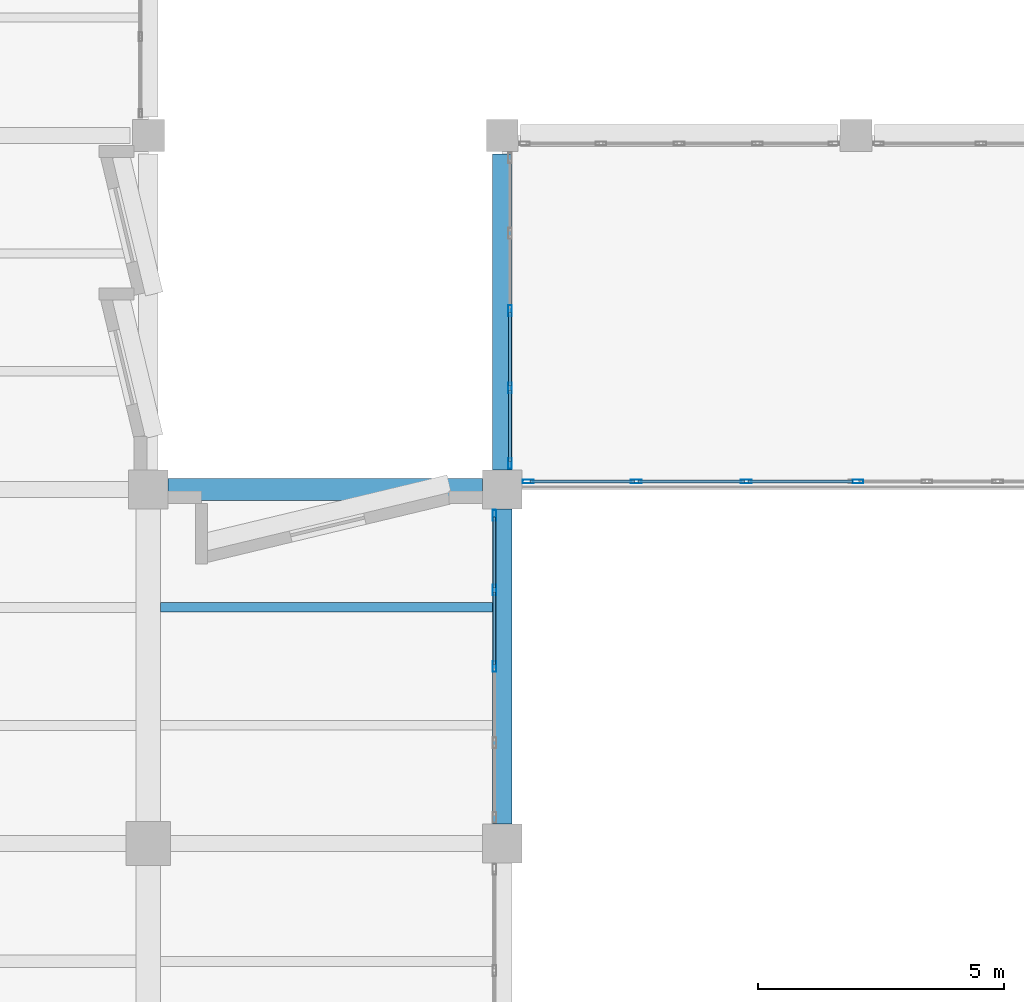
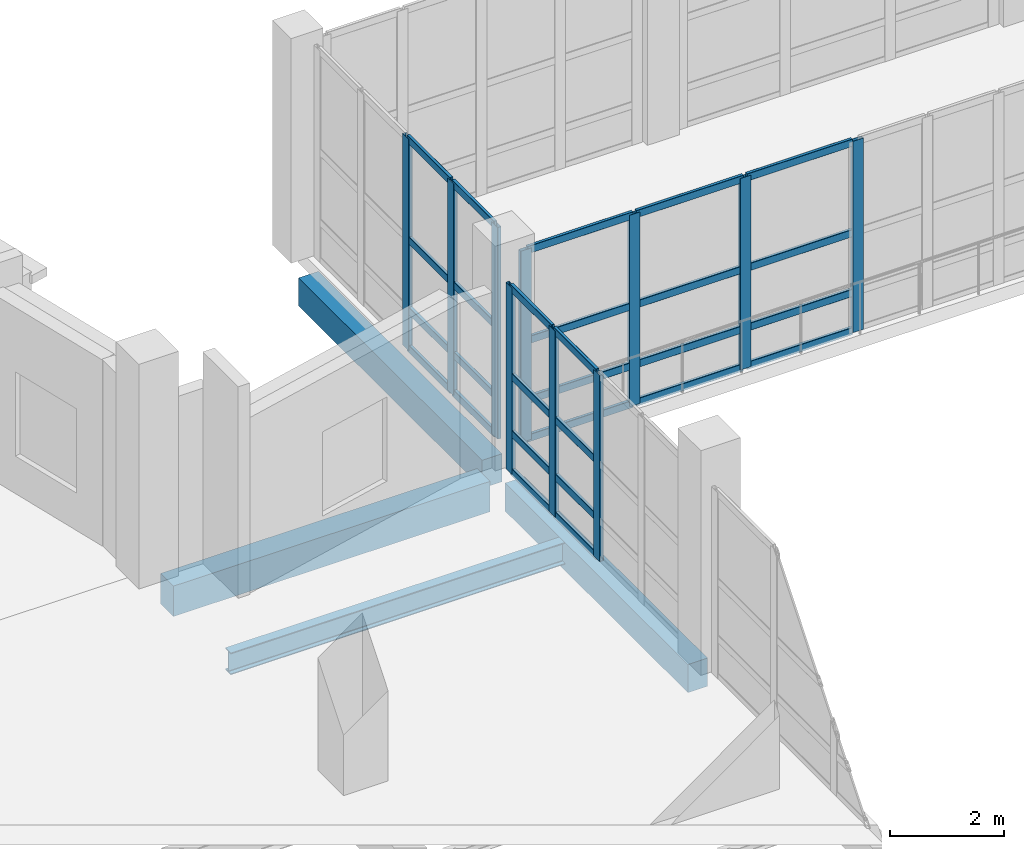
# One storey, part 21 of 127: 38 members, 4 beams, 4 elements without a shape of their own.
"""IFC4 building model written with IfcOpenShell, lengths in metres."""

from ifc_helpers import new_model, si_unit, direction, frame, origin, origin_2d, place, context, subcontext, project, spatial, rectangle, hollow_rectangle, i_section, extrude, material, material_profile, profile_set, type_object, element, aggregate, save


model = new_model("IFC4")

# Units and contexts
model_context = context("Model", 3, precision=1e-05, world=origin(), true_north=direction((0.0, 1.0)))
body_context = subcontext(model_context, "Body", "Model", "MODEL_VIEW")
ifc_project = project(units=[si_unit("LENGTHUNIT", "METRE"), si_unit("AREAUNIT", "SQUARE_METRE"), si_unit("VOLUMEUNIT", "CUBIC_METRE"), si_unit("PLANEANGLEUNIT", "RADIAN"), si_unit("MASSUNIT", "GRAM", prefix="KILO")], contexts=[model_context])

# Site, building, storey
site_placement = place(None, origin())
site = spatial("IfcSite", under=ifc_project, at=site_placement, CompositionType="ELEMENT")
building_placement = place(site_placement, origin())
building = spatial("IfcBuilding", under=site, at=building_placement, Name="Kalmorath City Hall", CompositionType="ELEMENT")
storey_placement = place(building_placement, frame((0.0, 0.0, 5.39990234375)))
storey = spatial("IfcBuildingStorey", under=building, at=storey_placement, Name="L01", CompositionType="ELEMENT", Elevation=5.39990234375)

# Beams
ifc_material_1 = material(Name="Concrete C40/50", Category="concrete")
ifc_material_profile_1 = material_profile(ifc_material_1, rectangle(XDim=0.39990234375, YDim=0.60009765625, at=origin_2d()), Name="RC-BM-400X600")
ifc_profile_set_1 = profile_set([ifc_material_profile_1], Name="Concrete C40/50")
beam_type_1 = type_object("IfcBeamType", Name="Concrete edge beam 400x600", PredefinedType="SPANDREL", material=ifc_profile_set_1)
beam_1_placement = place(storey_placement, frame((36.0, 29.199951171875, -0.6240234375), z_axis=(0.0, 1.0, 0.0), x_axis=(-1.0, 0.0, 0.0)))
element("IfcBeam", 1, at=beam_1_placement, inside=storey, type_object=beam_type_1, Name="L01 girder CB6 Y6/5-6", PredefinedType="SPANDREL", context=body_context, shape_type="SweptSolid", body=[
    extrude(rectangle(XDim=0.39990234375, YDim=0.60009765625, at=origin_2d()), origin(), (0.0, 0.0, 1.0), 6.400146484375),
])
beam_2_placement = place(storey_placement, frame((36.0, 36.39990234375, -0.6240234375), z_axis=(0.0, 1.0, 0.0), x_axis=(-1.0, 0.0, 0.0)))
element("IfcBeam", 2, at=beam_2_placement, inside=storey, type_object=beam_type_1, Name="L01 girder CB6 Y6/6-7", PredefinedType="SPANDREL", context=body_context, shape_type="SweptSolid", body=[
    extrude(rectangle(XDim=0.39990234375, YDim=0.60009765625, at=origin_2d()), origin(), (0.0, 0.0, 1.0), 6.425048828125),
])
ifc_material_2 = material(Name="Concrete C40/50", Category="concrete")
ifc_material_profile_2 = material_profile(ifc_material_2, rectangle(XDim=0.449951171875, YDim=0.64990234375, at=origin_2d()), Name="RC-BM-450X650")
ifc_profile_set_2 = profile_set([ifc_material_profile_2], Name="Concrete C40/50")
beam_type_2 = type_object("IfcBeamType", Name="Concrete spandrel beam 450x650", PredefinedType="SPANDREL", material=ifc_profile_set_2)
beam_3_placement = place(storey_placement, frame((29.199951171875, 36.0, -0.64892578125), z_axis=(1.0, 0.0, 0.0), x_axis=(0.0, 1.0, 0.0)))
element("IfcBeam", 3, at=beam_3_placement, inside=storey, type_object=beam_type_2, Name="L01 girder CB5 X5-6/6", PredefinedType="SPANDREL", context=body_context, shape_type="SweptSolid", body=[
    extrude(rectangle(XDim=0.449951171875, YDim=0.64990234375, at=origin_2d()), origin(), (0.0, 0.0, 1.0), 6.400146484375),
])

# Curtain wall, member
ifc_material_3 = material(Name="Anodised aluminium and laminated glass", Category="aluminium")
curtain_wall_type_1 = type_object("IfcCurtainWallType", Name="Unitised hurricane curtain wall 7200x4090 M1500", PredefinedType="NOTDEFINED", material=ifc_material_3)
curtain_wall_1_placement = place(storey_placement, origin())
curtain_wall_1 = element("IfcCurtainWall", 4, at=curtain_wall_1_placement, inside=storey, type_object=curtain_wall_type_1, Name="L01 curtain wall CW-72X41M15 #78", PredefinedType="NOTDEFINED")
ifc_material_4 = material(Name="Anodised aluminium framing", Category="aluminium")
ifc_material_profile_3 = material_profile(ifc_material_4, hollow_rectangle(XDim=0.074951171875, YDim=0.219970703125, WallThickness=0.00390625, InnerFilletRadius=0.00390625, OuterFilletRadius=0.008056640625, at=origin_2d()), Name="ALU-MUL-220X75X4")
ifc_profile_set_3 = profile_set([ifc_material_profile_3], Name="Anodised aluminium framing")
member_type_1 = type_object("IfcMemberType", Name="Curtain-wall primary mullion 220x75", PredefinedType="MULLION", material=ifc_profile_set_3)
member_1_placement = place(storey_placement, frame((43.237548828125, 36.159912109375, 0.0), z_axis=(0.0, 0.0, 1.0), x_axis=(0.0, -1.0, 0.0)))
member_1 = element("IfcMember", 5, at=member_1_placement, type_object=member_type_1, Name="CW-72X41M15 mullion 6", PredefinedType="MULLION", context=body_context, shape_type="SweptSolid", body=[
    extrude(hollow_rectangle(XDim=0.074951171875, YDim=0.219970703125, WallThickness=0.00390625, InnerFilletRadius=0.00390625, OuterFilletRadius=0.008056640625, at=origin_2d()), origin(), (0.0, 0.0, 1.0), 4.090087890625),
])
aggregate(curtain_wall_1, [member_1])

# Curtain wall, members
ifc_material_5 = material(Name="Anodised aluminium and laminated glass", Category="aluminium")
curtain_wall_type_2 = type_object("IfcCurtainWallType", Name="Unitised hurricane curtain wall 6710x4090 M2100", PredefinedType="NOTDEFINED", material=ifc_material_5)
curtain_wall_2_placement = place(storey_placement, origin())
curtain_wall_2 = element("IfcCurtainWall", 6, at=curtain_wall_2_placement, inside=storey, type_object=curtain_wall_type_2, Name="L01 curtain wall CW-67X41M21 #79", PredefinedType="NOTDEFINED")
member_2_placement = place(storey_placement, frame((40.96337890625, 36.159912109375, 0.0), z_axis=(0.0, 0.0, 1.0), x_axis=(0.0, -1.0, 0.0)))
member_2 = element("IfcMember", 7, at=member_2_placement, type_object=member_type_1, Name="CW-67X41M21 mullion 2", PredefinedType="MULLION", context=body_context, shape_type="SweptSolid", body=[
    extrude(hollow_rectangle(XDim=0.074951171875, YDim=0.219970703125, WallThickness=0.00390625, InnerFilletRadius=0.00390625, OuterFilletRadius=0.008056640625, at=origin_2d()), origin(), (0.0, 0.0, 1.0), 4.090087890625),
])
member_3_placement = place(storey_placement, frame((38.7265625, 36.159912109375, 0.0), z_axis=(0.0, 0.0, 1.0), x_axis=(0.0, -1.0, 0.0)))
member_3 = element("IfcMember", 8, at=member_3_placement, type_object=member_type_1, Name="CW-67X41M21 mullion 3", PredefinedType="MULLION", context=body_context, shape_type="SweptSolid", body=[
    extrude(hollow_rectangle(XDim=0.074951171875, YDim=0.219970703125, WallThickness=0.00390625, InnerFilletRadius=0.00390625, OuterFilletRadius=0.008056640625, at=origin_2d()), origin(), (0.0, 0.0, 1.0), 4.090087890625),
])
member_4_placement = place(storey_placement, frame((36.527587890625, 36.159912109375, 0.0), z_axis=(0.0, 0.0, 1.0), x_axis=(0.0, -1.0, 0.0)))
member_4 = element("IfcMember", 9, at=member_4_placement, type_object=member_type_1, Name="CW-67X41M21 mullion 4", PredefinedType="MULLION", context=body_context, shape_type="SweptSolid", body=[
    extrude(hollow_rectangle(XDim=0.074951171875, YDim=0.219970703125, WallThickness=0.00390625, InnerFilletRadius=0.00390625, OuterFilletRadius=0.008056640625, at=origin_2d()), origin(), (0.0, 0.0, 1.0), 4.090087890625),
])

ifc_material_6 = material(Name="Anodised aluminium and laminated glass", Category="aluminium")
curtain_wall_type_3 = type_object("IfcCurtainWallType", Name="Unitised hurricane curtain wall 6220x3976 M1500", PredefinedType="NOTDEFINED", material=ifc_material_6)
curtain_wall_3_placement = place(storey_placement, origin())
curtain_wall_3 = element("IfcCurtainWall", 10, at=curtain_wall_3_placement, inside=storey, type_object=curtain_wall_type_3, Name="L01 curtain wall CW-62X40M15 #80", PredefinedType="NOTDEFINED")
member_5_placement = place(storey_placement, frame((35.840087890625, 35.472412109375, 0.0), z_axis=(0.0, 0.0, 1.0), x_axis=(1.0, 0.0, 0.0)))
member_5 = element("IfcMember", 11, at=member_5_placement, type_object=member_type_1, Name="CW-62X40M15 mullion 1", PredefinedType="MULLION", context=body_context, shape_type="SweptSolid", body=[
    extrude(hollow_rectangle(XDim=0.074951171875, YDim=0.219970703125, WallThickness=0.00390625, InnerFilletRadius=0.00390625, OuterFilletRadius=0.008056640625, at=origin_2d()), origin(), (0.0, 0.0, 1.0), 3.97607421875),
])
member_6_placement = place(storey_placement, frame((35.840087890625, 33.955078125, 0.0), z_axis=(0.0, 0.0, 1.0), x_axis=(1.0, 0.0, 0.0)))
member_6 = element("IfcMember", 12, at=member_6_placement, type_object=member_type_1, Name="CW-62X40M15 mullion 2", PredefinedType="MULLION", context=body_context, shape_type="SweptSolid", body=[
    extrude(hollow_rectangle(XDim=0.074951171875, YDim=0.219970703125, WallThickness=0.00390625, InnerFilletRadius=0.00390625, OuterFilletRadius=0.008056640625, at=origin_2d()), origin(), (0.0, 0.0, 1.0), 3.97607421875),
])
member_7_placement = place(storey_placement, frame((35.840087890625, 32.39990234375, 0.0), z_axis=(0.0, 0.0, 1.0), x_axis=(1.0, 0.0, 0.0)))
member_7 = element("IfcMember", 13, at=member_7_placement, type_object=member_type_1, Name="CW-62X40M15 mullion 3", PredefinedType="MULLION", context=body_context, shape_type="SweptSolid", body=[
    extrude(hollow_rectangle(XDim=0.074951171875, YDim=0.219970703125, WallThickness=0.00390625, InnerFilletRadius=0.00390625, OuterFilletRadius=0.008056640625, at=origin_2d()), origin(), (0.0, 0.0, 1.0), 3.97607421875),
])

ifc_material_7 = material(Name="Anodised aluminium and laminated glass", Category="aluminium")
curtain_wall_type_4 = type_object("IfcCurtainWallType", Name="Unitised hurricane curtain wall 6295x4520 M1500", PredefinedType="NOTDEFINED", material=ifc_material_7)
curtain_wall_4_placement = place(storey_placement, origin())
curtain_wall_4 = element("IfcCurtainWall", 14, at=curtain_wall_4_placement, inside=storey, type_object=curtain_wall_type_4, Name="L01 curtain wall CW-63X45M15 #112", PredefinedType="NOTDEFINED")
member_8_placement = place(storey_placement, frame((36.159912109375, 36.527587890625, 0.0), z_axis=(0.0, 0.0, 1.0), x_axis=(-1.0, 0.0, 0.0)))
member_8 = element("IfcMember", 15, at=member_8_placement, type_object=member_type_1, Name="CW-63X45M15 mullion 1", PredefinedType="MULLION", context=body_context, shape_type="SweptSolid", body=[
    extrude(hollow_rectangle(XDim=0.074951171875, YDim=0.219970703125, WallThickness=0.00390625, InnerFilletRadius=0.00390625, OuterFilletRadius=0.008056640625, at=origin_2d()), origin(), (0.0, 0.0, 1.0), 4.52001953125),
])
member_9_placement = place(storey_placement, frame((36.159912109375, 38.063720703125, 0.0), z_axis=(0.0, 0.0, 1.0), x_axis=(-1.0, 0.0, 0.0)))
member_9 = element("IfcMember", 16, at=member_9_placement, type_object=member_type_1, Name="CW-63X45M15 mullion 2", PredefinedType="MULLION", context=body_context, shape_type="SweptSolid", body=[
    extrude(hollow_rectangle(XDim=0.074951171875, YDim=0.219970703125, WallThickness=0.00390625, InnerFilletRadius=0.00390625, OuterFilletRadius=0.008056640625, at=origin_2d()), origin(), (0.0, 0.0, 1.0), 4.52001953125),
])
member_10_placement = place(storey_placement, frame((36.159912109375, 39.637451171875, 0.0), z_axis=(0.0, 0.0, 1.0), x_axis=(-1.0, 0.0, 0.0)))
member_10 = element("IfcMember", 17, at=member_10_placement, type_object=member_type_1, Name="CW-63X45M15 mullion 3", PredefinedType="MULLION", context=body_context, shape_type="SweptSolid", body=[
    extrude(hollow_rectangle(XDim=0.074951171875, YDim=0.219970703125, WallThickness=0.00390625, InnerFilletRadius=0.00390625, OuterFilletRadius=0.008056640625, at=origin_2d()), origin(), (0.0, 0.0, 1.0), 4.52001953125),
])

# Member
ifc_material_8 = material(Name="Anodised aluminium framing", Category="aluminium")
ifc_material_profile_4 = material_profile(ifc_material_8, hollow_rectangle(XDim=0.06494140625, YDim=0.159912109375, WallThickness=0.00390625, InnerFilletRadius=0.00390625, OuterFilletRadius=0.008056640625, at=origin_2d()), Name="ALU-TRN-160X65X4")
ifc_profile_set_4 = profile_set([ifc_material_profile_4], Name="Anodised aluminium framing")
member_type_2 = type_object("IfcMemberType", Name="Curtain-wall primary transom 160x65", PredefinedType="USERDEFINED", material=ifc_profile_set_4)
member_11_placement = place(storey_placement, frame((43.125, 36.159912109375, 0.03271484375), z_axis=(-1.0, 0.0, 0.0), x_axis=(0.0, -1.0, 0.0)))
member_11 = element("IfcMember", 18, at=member_11_placement, type_object=member_type_2, Name="CW-67X41M21 transom 1.1", ObjectType="TRANSOM", PredefinedType="USERDEFINED", context=body_context, shape_type="SweptSolid", body=[
    extrude(hollow_rectangle(XDim=0.06494140625, YDim=0.159912109375, WallThickness=0.00390625, InnerFilletRadius=0.00390625, OuterFilletRadius=0.008056640625, at=origin_2d()), origin(), (0.0, 0.0, 1.0), 2.124267578125),
])

member_12_placement = place(storey_placement, frame((43.125, 36.159912109375, 0.85009765625), z_axis=(-1.0, 0.0, 0.0), x_axis=(0.0, -1.0, 0.0)))
member_12 = element("IfcMember", 19, at=member_12_placement, type_object=member_type_2, Name="CW-67X41M21 transom 1.2", ObjectType="TRANSOM", PredefinedType="USERDEFINED", context=body_context, shape_type="SweptSolid", body=[
    extrude(hollow_rectangle(XDim=0.06494140625, YDim=0.159912109375, WallThickness=0.00390625, InnerFilletRadius=0.00390625, OuterFilletRadius=0.008056640625, at=origin_2d()), origin(), (0.0, 0.0, 1.0), 2.124267578125),
])

member_13_placement = place(storey_placement, frame((43.125, 36.159912109375, 2.127197265625), z_axis=(-1.0, 0.0, 0.0), x_axis=(0.0, -1.0, 0.0)))
member_13 = element("IfcMember", 20, at=member_13_placement, type_object=member_type_2, Name="CW-67X41M21 transom 1.3", ObjectType="TRANSOM", PredefinedType="USERDEFINED", context=body_context, shape_type="SweptSolid", body=[
    extrude(hollow_rectangle(XDim=0.06494140625, YDim=0.159912109375, WallThickness=0.00390625, InnerFilletRadius=0.00390625, OuterFilletRadius=0.008056640625, at=origin_2d()), origin(), (0.0, 0.0, 1.0), 2.124267578125),
])

member_14_placement = place(storey_placement, frame((43.125, 36.159912109375, 4.0576171875), z_axis=(-1.0, 0.0, 0.0), x_axis=(0.0, -1.0, 0.0)))
member_14 = element("IfcMember", 21, at=member_14_placement, type_object=member_type_2, Name="CW-67X41M21 transom 1.4", ObjectType="TRANSOM", PredefinedType="USERDEFINED", context=body_context, shape_type="SweptSolid", body=[
    extrude(hollow_rectangle(XDim=0.06494140625, YDim=0.159912109375, WallThickness=0.00390625, InnerFilletRadius=0.00390625, OuterFilletRadius=0.008056640625, at=origin_2d()), origin(), (0.0, 0.0, 1.0), 2.124267578125),
])

member_15_placement = place(storey_placement, frame((40.92578125, 36.159912109375, 0.03271484375), z_axis=(-1.0, 0.0, 0.0), x_axis=(0.0, -1.0, 0.0)))
member_15 = element("IfcMember", 22, at=member_15_placement, type_object=member_type_2, Name="CW-67X41M21 transom 2.1", ObjectType="TRANSOM", PredefinedType="USERDEFINED", context=body_context, shape_type="SweptSolid", body=[
    extrude(hollow_rectangle(XDim=0.06494140625, YDim=0.159912109375, WallThickness=0.00390625, InnerFilletRadius=0.00390625, OuterFilletRadius=0.008056640625, at=origin_2d()), origin(), (0.0, 0.0, 1.0), 2.16162109375),
])

member_16_placement = place(storey_placement, frame((40.92578125, 36.159912109375, 0.85009765625), z_axis=(-1.0, 0.0, 0.0), x_axis=(0.0, -1.0, 0.0)))
member_16 = element("IfcMember", 23, at=member_16_placement, type_object=member_type_2, Name="CW-67X41M21 transom 2.2", ObjectType="TRANSOM", PredefinedType="USERDEFINED", context=body_context, shape_type="SweptSolid", body=[
    extrude(hollow_rectangle(XDim=0.06494140625, YDim=0.159912109375, WallThickness=0.00390625, InnerFilletRadius=0.00390625, OuterFilletRadius=0.008056640625, at=origin_2d()), origin(), (0.0, 0.0, 1.0), 2.16162109375),
])

member_17_placement = place(storey_placement, frame((40.92578125, 36.159912109375, 2.127197265625), z_axis=(-1.0, 0.0, 0.0), x_axis=(0.0, -1.0, 0.0)))
member_17 = element("IfcMember", 24, at=member_17_placement, type_object=member_type_2, Name="CW-67X41M21 transom 2.3", ObjectType="TRANSOM", PredefinedType="USERDEFINED", context=body_context, shape_type="SweptSolid", body=[
    extrude(hollow_rectangle(XDim=0.06494140625, YDim=0.159912109375, WallThickness=0.00390625, InnerFilletRadius=0.00390625, OuterFilletRadius=0.008056640625, at=origin_2d()), origin(), (0.0, 0.0, 1.0), 2.16162109375),
])

member_18_placement = place(storey_placement, frame((40.92578125, 36.159912109375, 4.0576171875), z_axis=(-1.0, 0.0, 0.0), x_axis=(0.0, -1.0, 0.0)))
member_18 = element("IfcMember", 25, at=member_18_placement, type_object=member_type_2, Name="CW-67X41M21 transom 2.4", ObjectType="TRANSOM", PredefinedType="USERDEFINED", context=body_context, shape_type="SweptSolid", body=[
    extrude(hollow_rectangle(XDim=0.06494140625, YDim=0.159912109375, WallThickness=0.00390625, InnerFilletRadius=0.00390625, OuterFilletRadius=0.008056640625, at=origin_2d()), origin(), (0.0, 0.0, 1.0), 2.16162109375),
])

member_19_placement = place(storey_placement, frame((38.689208984375, 36.159912109375, 0.03271484375), z_axis=(-1.0, 0.0, 0.0), x_axis=(0.0, -1.0, 0.0)))
member_19 = element("IfcMember", 26, at=member_19_placement, type_object=member_type_2, Name="CW-67X41M21 transom 3.1", ObjectType="TRANSOM", PredefinedType="USERDEFINED", context=body_context, shape_type="SweptSolid", body=[
    extrude(hollow_rectangle(XDim=0.06494140625, YDim=0.159912109375, WallThickness=0.00390625, InnerFilletRadius=0.00390625, OuterFilletRadius=0.008056640625, at=origin_2d()), origin(), (0.0, 0.0, 1.0), 2.124267578125),
])

member_20_placement = place(storey_placement, frame((38.689208984375, 36.159912109375, 0.85009765625), z_axis=(-1.0, 0.0, 0.0), x_axis=(0.0, -1.0, 0.0)))
member_20 = element("IfcMember", 27, at=member_20_placement, type_object=member_type_2, Name="CW-67X41M21 transom 3.2", ObjectType="TRANSOM", PredefinedType="USERDEFINED", context=body_context, shape_type="SweptSolid", body=[
    extrude(hollow_rectangle(XDim=0.06494140625, YDim=0.159912109375, WallThickness=0.00390625, InnerFilletRadius=0.00390625, OuterFilletRadius=0.008056640625, at=origin_2d()), origin(), (0.0, 0.0, 1.0), 2.124267578125),
])

member_21_placement = place(storey_placement, frame((38.689208984375, 36.159912109375, 2.127197265625), z_axis=(-1.0, 0.0, 0.0), x_axis=(0.0, -1.0, 0.0)))
member_21 = element("IfcMember", 28, at=member_21_placement, type_object=member_type_2, Name="CW-67X41M21 transom 3.3", ObjectType="TRANSOM", PredefinedType="USERDEFINED", context=body_context, shape_type="SweptSolid", body=[
    extrude(hollow_rectangle(XDim=0.06494140625, YDim=0.159912109375, WallThickness=0.00390625, InnerFilletRadius=0.00390625, OuterFilletRadius=0.008056640625, at=origin_2d()), origin(), (0.0, 0.0, 1.0), 2.124267578125),
])

member_22_placement = place(storey_placement, frame((38.689208984375, 36.159912109375, 4.0576171875), z_axis=(-1.0, 0.0, 0.0), x_axis=(0.0, -1.0, 0.0)))
member_22 = element("IfcMember", 29, at=member_22_placement, type_object=member_type_2, Name="CW-67X41M21 transom 3.4", ObjectType="TRANSOM", PredefinedType="USERDEFINED", context=body_context, shape_type="SweptSolid", body=[
    extrude(hollow_rectangle(XDim=0.06494140625, YDim=0.159912109375, WallThickness=0.00390625, InnerFilletRadius=0.00390625, OuterFilletRadius=0.008056640625, at=origin_2d()), origin(), (0.0, 0.0, 1.0), 2.124267578125),
])

aggregate(curtain_wall_2, [member_2, member_3, member_4, member_11, member_12, member_13, member_14, member_15, member_16, member_17, member_18, member_19, member_20, member_21, member_22])

member_23_placement = place(storey_placement, frame((35.840087890625, 35.43505859375, 0.03271484375), z_axis=(0.0, -1.0, 0.0), x_axis=(1.0, 0.0, 0.0)))
member_23 = element("IfcMember", 30, at=member_23_placement, type_object=member_type_2, Name="CW-62X40M15 transom 1.1", ObjectType="TRANSOM", PredefinedType="USERDEFINED", context=body_context, shape_type="SweptSolid", body=[
    extrude(hollow_rectangle(XDim=0.06494140625, YDim=0.159912109375, WallThickness=0.00390625, InnerFilletRadius=0.00390625, OuterFilletRadius=0.008056640625, at=origin_2d()), origin(), (0.0, 0.0, 1.0), 1.442626953125),
])

member_24_placement = place(storey_placement, frame((35.840087890625, 35.43505859375, 0.85009765625), z_axis=(0.0, -1.0, 0.0), x_axis=(1.0, 0.0, 0.0)))
member_24 = element("IfcMember", 31, at=member_24_placement, type_object=member_type_2, Name="CW-62X40M15 transom 1.2", ObjectType="TRANSOM", PredefinedType="USERDEFINED", context=body_context, shape_type="SweptSolid", body=[
    extrude(hollow_rectangle(XDim=0.06494140625, YDim=0.159912109375, WallThickness=0.00390625, InnerFilletRadius=0.00390625, OuterFilletRadius=0.008056640625, at=origin_2d()), origin(), (0.0, 0.0, 1.0), 1.442626953125),
])

member_25_placement = place(storey_placement, frame((35.840087890625, 35.43505859375, 2.068115234375), z_axis=(0.0, -1.0, 0.0), x_axis=(1.0, 0.0, 0.0)))
member_25 = element("IfcMember", 32, at=member_25_placement, type_object=member_type_2, Name="CW-62X40M15 transom 1.3", ObjectType="TRANSOM", PredefinedType="USERDEFINED", context=body_context, shape_type="SweptSolid", body=[
    extrude(hollow_rectangle(XDim=0.06494140625, YDim=0.159912109375, WallThickness=0.00390625, InnerFilletRadius=0.00390625, OuterFilletRadius=0.008056640625, at=origin_2d()), origin(), (0.0, 0.0, 1.0), 1.442626953125),
])

member_26_placement = place(storey_placement, frame((35.840087890625, 35.43505859375, 3.943603515625), z_axis=(0.0, -1.0, 0.0), x_axis=(1.0, 0.0, 0.0)))
member_26 = element("IfcMember", 33, at=member_26_placement, type_object=member_type_2, Name="CW-62X40M15 transom 1.4", ObjectType="TRANSOM", PredefinedType="USERDEFINED", context=body_context, shape_type="SweptSolid", body=[
    extrude(hollow_rectangle(XDim=0.06494140625, YDim=0.159912109375, WallThickness=0.00390625, InnerFilletRadius=0.00390625, OuterFilletRadius=0.008056640625, at=origin_2d()), origin(), (0.0, 0.0, 1.0), 1.442626953125),
])

member_27_placement = place(storey_placement, frame((35.840087890625, 33.91748046875, 0.03271484375), z_axis=(0.0, -1.0, 0.0), x_axis=(1.0, 0.0, 0.0)))
member_27 = element("IfcMember", 34, at=member_27_placement, type_object=member_type_2, Name="CW-62X40M15 transom 2.1", ObjectType="TRANSOM", PredefinedType="USERDEFINED", context=body_context, shape_type="SweptSolid", body=[
    extrude(hollow_rectangle(XDim=0.06494140625, YDim=0.159912109375, WallThickness=0.00390625, InnerFilletRadius=0.00390625, OuterFilletRadius=0.008056640625, at=origin_2d()), origin(), (0.0, 0.0, 1.0), 1.47998046875),
])

member_28_placement = place(storey_placement, frame((35.840087890625, 33.91748046875, 0.85009765625), z_axis=(0.0, -1.0, 0.0), x_axis=(1.0, 0.0, 0.0)))
member_28 = element("IfcMember", 35, at=member_28_placement, type_object=member_type_2, Name="CW-62X40M15 transom 2.2", ObjectType="TRANSOM", PredefinedType="USERDEFINED", context=body_context, shape_type="SweptSolid", body=[
    extrude(hollow_rectangle(XDim=0.06494140625, YDim=0.159912109375, WallThickness=0.00390625, InnerFilletRadius=0.00390625, OuterFilletRadius=0.008056640625, at=origin_2d()), origin(), (0.0, 0.0, 1.0), 1.47998046875),
])

member_29_placement = place(storey_placement, frame((35.840087890625, 33.91748046875, 2.068115234375), z_axis=(0.0, -1.0, 0.0), x_axis=(1.0, 0.0, 0.0)))
member_29 = element("IfcMember", 36, at=member_29_placement, type_object=member_type_2, Name="CW-62X40M15 transom 2.3", ObjectType="TRANSOM", PredefinedType="USERDEFINED", context=body_context, shape_type="SweptSolid", body=[
    extrude(hollow_rectangle(XDim=0.06494140625, YDim=0.159912109375, WallThickness=0.00390625, InnerFilletRadius=0.00390625, OuterFilletRadius=0.008056640625, at=origin_2d()), origin(), (0.0, 0.0, 1.0), 1.47998046875),
])

member_30_placement = place(storey_placement, frame((35.840087890625, 33.91748046875, 3.943603515625), z_axis=(0.0, -1.0, 0.0), x_axis=(1.0, 0.0, 0.0)))
member_30 = element("IfcMember", 37, at=member_30_placement, type_object=member_type_2, Name="CW-62X40M15 transom 2.4", ObjectType="TRANSOM", PredefinedType="USERDEFINED", context=body_context, shape_type="SweptSolid", body=[
    extrude(hollow_rectangle(XDim=0.06494140625, YDim=0.159912109375, WallThickness=0.00390625, InnerFilletRadius=0.00390625, OuterFilletRadius=0.008056640625, at=origin_2d()), origin(), (0.0, 0.0, 1.0), 1.47998046875),
])

aggregate(curtain_wall_3, [member_5, member_6, member_7, member_23, member_24, member_25, member_26, member_27, member_28, member_29, member_30])

member_31_placement = place(storey_placement, frame((36.159912109375, 36.56494140625, 0.03271484375), z_axis=(0.0, 1.0, 0.0), x_axis=(-1.0, 0.0, 0.0)))
member_31 = element("IfcMember", 38, at=member_31_placement, type_object=member_type_2, Name="CW-63X45M15 transom 1.1", ObjectType="TRANSOM", PredefinedType="USERDEFINED", context=body_context, shape_type="SweptSolid", body=[
    extrude(hollow_rectangle(XDim=0.06494140625, YDim=0.159912109375, WallThickness=0.00390625, InnerFilletRadius=0.00390625, OuterFilletRadius=0.008056640625, at=origin_2d()), origin(), (0.0, 0.0, 1.0), 1.46142578125),
])

member_32_placement = place(storey_placement, frame((36.159912109375, 36.56494140625, 0.85009765625), z_axis=(0.0, 1.0, 0.0), x_axis=(-1.0, 0.0, 0.0)))
member_32 = element("IfcMember", 39, at=member_32_placement, type_object=member_type_2, Name="CW-63X45M15 transom 1.2", ObjectType="TRANSOM", PredefinedType="USERDEFINED", context=body_context, shape_type="SweptSolid", body=[
    extrude(hollow_rectangle(XDim=0.06494140625, YDim=0.159912109375, WallThickness=0.00390625, InnerFilletRadius=0.00390625, OuterFilletRadius=0.008056640625, at=origin_2d()), origin(), (0.0, 0.0, 1.0), 1.46142578125),
])

member_33_placement = place(storey_placement, frame((36.159912109375, 36.56494140625, 2.35009765625), z_axis=(0.0, 1.0, 0.0), x_axis=(-1.0, 0.0, 0.0)))
member_33 = element("IfcMember", 40, at=member_33_placement, type_object=member_type_2, Name="CW-63X45M15 transom 1.3", ObjectType="TRANSOM", PredefinedType="USERDEFINED", context=body_context, shape_type="SweptSolid", body=[
    extrude(hollow_rectangle(XDim=0.06494140625, YDim=0.159912109375, WallThickness=0.00390625, InnerFilletRadius=0.00390625, OuterFilletRadius=0.008056640625, at=origin_2d()), origin(), (0.0, 0.0, 1.0), 1.46142578125),
])

member_34_placement = place(storey_placement, frame((36.159912109375, 36.56494140625, 4.487548828125), z_axis=(0.0, 1.0, 0.0), x_axis=(-1.0, 0.0, 0.0)))
member_34 = element("IfcMember", 41, at=member_34_placement, type_object=member_type_2, Name="CW-63X45M15 transom 1.4", ObjectType="TRANSOM", PredefinedType="USERDEFINED", context=body_context, shape_type="SweptSolid", body=[
    extrude(hollow_rectangle(XDim=0.06494140625, YDim=0.159912109375, WallThickness=0.00390625, InnerFilletRadius=0.00390625, OuterFilletRadius=0.008056640625, at=origin_2d()), origin(), (0.0, 0.0, 1.0), 1.46142578125),
])

member_35_placement = place(storey_placement, frame((36.159912109375, 38.101318359375, 0.03271484375), z_axis=(0.0, 1.0, 0.0), x_axis=(-1.0, 0.0, 0.0)))
member_35 = element("IfcMember", 42, at=member_35_placement, type_object=member_type_2, Name="CW-63X45M15 transom 2.1", ObjectType="TRANSOM", PredefinedType="USERDEFINED", context=body_context, shape_type="SweptSolid", body=[
    extrude(hollow_rectangle(XDim=0.06494140625, YDim=0.159912109375, WallThickness=0.00390625, InnerFilletRadius=0.00390625, OuterFilletRadius=0.008056640625, at=origin_2d()), origin(), (0.0, 0.0, 1.0), 1.498779296875),
])

member_36_placement = place(storey_placement, frame((36.159912109375, 38.101318359375, 0.85009765625), z_axis=(0.0, 1.0, 0.0), x_axis=(-1.0, 0.0, 0.0)))
member_36 = element("IfcMember", 43, at=member_36_placement, type_object=member_type_2, Name="CW-63X45M15 transom 2.2", ObjectType="TRANSOM", PredefinedType="USERDEFINED", context=body_context, shape_type="SweptSolid", body=[
    extrude(hollow_rectangle(XDim=0.06494140625, YDim=0.159912109375, WallThickness=0.00390625, InnerFilletRadius=0.00390625, OuterFilletRadius=0.008056640625, at=origin_2d()), origin(), (0.0, 0.0, 1.0), 1.498779296875),
])

member_37_placement = place(storey_placement, frame((36.159912109375, 38.101318359375, 2.35009765625), z_axis=(0.0, 1.0, 0.0), x_axis=(-1.0, 0.0, 0.0)))
member_37 = element("IfcMember", 44, at=member_37_placement, type_object=member_type_2, Name="CW-63X45M15 transom 2.3", ObjectType="TRANSOM", PredefinedType="USERDEFINED", context=body_context, shape_type="SweptSolid", body=[
    extrude(hollow_rectangle(XDim=0.06494140625, YDim=0.159912109375, WallThickness=0.00390625, InnerFilletRadius=0.00390625, OuterFilletRadius=0.008056640625, at=origin_2d()), origin(), (0.0, 0.0, 1.0), 1.498779296875),
])

member_38_placement = place(storey_placement, frame((36.159912109375, 38.101318359375, 4.487548828125), z_axis=(0.0, 1.0, 0.0), x_axis=(-1.0, 0.0, 0.0)))
member_38 = element("IfcMember", 45, at=member_38_placement, type_object=member_type_2, Name="CW-63X45M15 transom 2.4", ObjectType="TRANSOM", PredefinedType="USERDEFINED", context=body_context, shape_type="SweptSolid", body=[
    extrude(hollow_rectangle(XDim=0.06494140625, YDim=0.159912109375, WallThickness=0.00390625, InnerFilletRadius=0.00390625, OuterFilletRadius=0.008056640625, at=origin_2d()), origin(), (0.0, 0.0, 1.0), 1.498779296875),
])

aggregate(curtain_wall_4, [member_8, member_9, member_10, member_31, member_32, member_33, member_34, member_35, member_36, member_37, member_38])

# Beam
ifc_material_9 = material(Name="Steel ASTM A992 Grade 50", Category="steel")
ifc_material_profile_5 = material_profile(ifc_material_9, i_section(OverallWidth=0.193115234375, OverallDepth=0.466064453125, WebThickness=0.011474609375, FlangeThickness=0.01904296875, FilletRadius=0.013916015625, at=origin_2d()), Name="W18X65")
ifc_profile_set_5 = profile_set([ifc_material_profile_5], Name="Steel ASTM A992 Grade 50")
beam_type_3 = type_object("IfcBeamType", Name="Steel composite joist W18X65", PredefinedType="JOIST", material=ifc_profile_set_5)
beam_4_placement = place(storey_placement, frame((29.050048828125, 33.60009765625, -0.556884765625), z_axis=(1.0, 0.0, 0.0), x_axis=(0.0, 1.0, 0.0)))
element("IfcBeam", 46, at=beam_4_placement, inside=storey, type_object=beam_type_3, Name="L01 joist SJ1 5.5.2", PredefinedType="JOIST", context=body_context, shape_type="SweptSolid", body=[
    extrude(i_section(OverallWidth=0.193115234375, OverallDepth=0.466064453125, WebThickness=0.011474609375, FlangeThickness=0.01904296875, FilletRadius=0.013916015625, at=origin_2d()), origin(), (0.0, 0.0, 1.0), 6.75),
])

save(model, "model.ifc")
